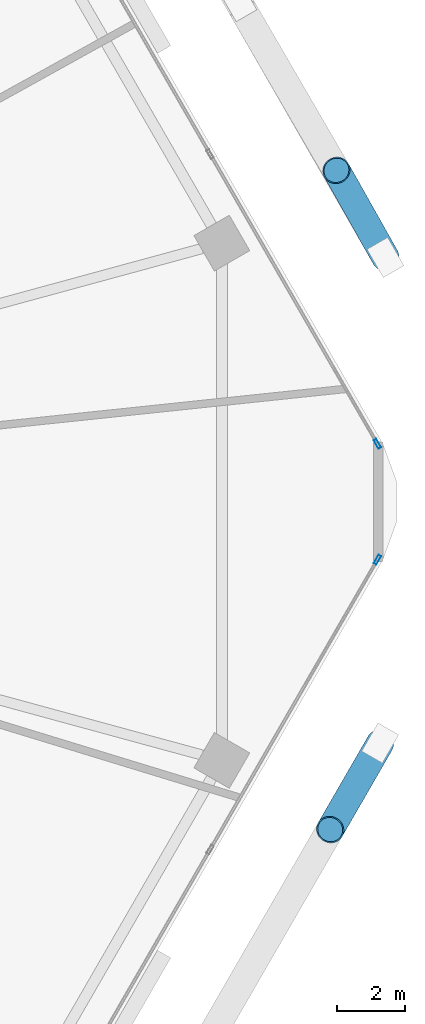
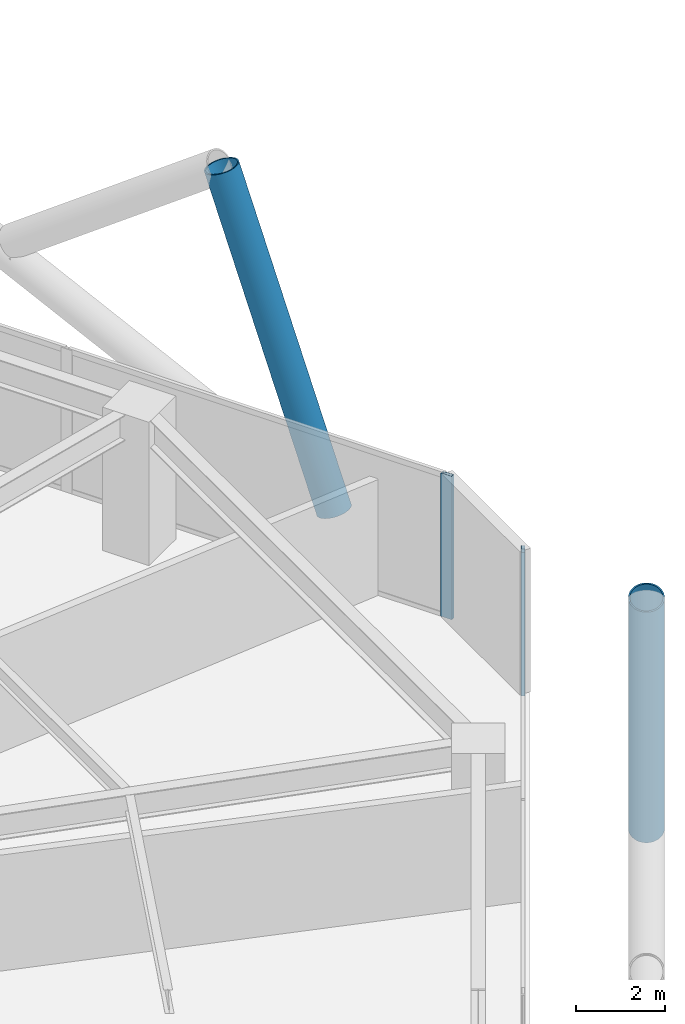
# One storey, part 23 of 30: 4 members, 2 elements without a shape of their own.
"""IFC4 building model written with IfcOpenShell, lengths in metres."""

from ifc_helpers import new_model, si_unit, direction, frame, origin, origin_2d, place, context, subcontext, project, spatial, hollow_rectangle, hollow_circle, extrude, material, material_profile, profile_set, type_object, element, aggregate, save


model = new_model("IFC4")

# Units and contexts
model_context = context("Model", 3, precision=1e-05, world=origin(), true_north=direction((0.0, 1.0)))
body_context = subcontext(model_context, "Body", "Model", "MODEL_VIEW")
ifc_project = project(units=[si_unit("LENGTHUNIT", "METRE"), si_unit("AREAUNIT", "SQUARE_METRE"), si_unit("VOLUMEUNIT", "CUBIC_METRE"), si_unit("PLANEANGLEUNIT", "RADIAN"), si_unit("MASSUNIT", "GRAM", prefix="KILO")], contexts=[model_context])

# Site, building, storey
site_placement = place(None, origin())
site = spatial("IfcSite", under=ifc_project, at=site_placement, CompositionType="ELEMENT")
building_placement = place(site_placement, origin())
building = spatial("IfcBuilding", under=site, at=building_placement, Name="Zuhravey Tower", CompositionType="ELEMENT")
storey_placement = place(building_placement, frame((0.0, 0.0, 58.199951171875)))
storey = spatial("IfcBuildingStorey", under=building, at=storey_placement, Name="L14", CompositionType="ELEMENT", Elevation=58.199951171875)

# Curtain wall, member
ifc_material_1 = material(Name="Thermally broken anodised aluminium", Category="aluminium")
curtain_wall_type = type_object("IfcCurtainWallType", Name="School Low-E Unitised Curtain Wall CW1", PredefinedType="NOTDEFINED", material=ifc_material_1)
curtain_wall_1_placement = place(storey_placement, origin())
curtain_wall_1 = element("IfcCurtainWall", 1, at=curtain_wall_1_placement, inside=storey, type_object=curtain_wall_type, Name="L14 CW1 CW-L14-F6-1", PredefinedType="NOTDEFINED")
ifc_material_2 = material(Name="Anodised aluminium", Category="aluminium")
ifc_material_profile_1 = material_profile(ifc_material_2, hollow_rectangle(XDim=0.090087890625, YDim=0.284912109375, WallThickness=0.0048828125, at=origin_2d()), Name="ALU-RHS-90x285x5")
ifc_profile_set_1 = profile_set([ifc_material_profile_1], Name="Anodised aluminium")
member_type_1 = type_object("IfcMemberType", Name="Curtain-Wall Mullion 90x180", PredefinedType="MULLION", material=ifc_profile_set_1)
member_1_placement = place(storey_placement, frame((68.4560546875, 30.298583984375, 0.0), z_axis=(0.0, 0.0, 1.0), x_axis=(0.86602552265, -0.499999794119, 0.0)))
member_1 = element("IfcMember", 2, at=member_1_placement, type_object=member_type_1, Name="CW1 mullion 1", PredefinedType="MULLION", context=body_context, shape_type="SweptSolid", body=[
    extrude(hollow_rectangle(XDim=0.090087890625, YDim=0.284912109375, WallThickness=0.0048828125, at=origin_2d()), origin(), (0.0, 0.0, 1.0), 3.920166015625),
])
aggregate(curtain_wall_1, [member_1])

curtain_wall_2_placement = place(storey_placement, origin())
curtain_wall_2 = element("IfcCurtainWall", 3, at=curtain_wall_2_placement, inside=storey, type_object=curtain_wall_type, Name="L14 CW1 CW-L14-F1-1", PredefinedType="NOTDEFINED")
member_2_placement = place(storey_placement, frame((68.4560546875, 33.701416015625, 0.0), z_axis=(0.0, 0.0, 1.0), x_axis=(0.86602552265, 0.499999794119, 0.0)))
member_2 = element("IfcMember", 4, at=member_2_placement, type_object=member_type_1, Name="CW1 mullion 4", PredefinedType="MULLION", context=body_context, shape_type="SweptSolid", body=[
    extrude(hollow_rectangle(XDim=0.090087890625, YDim=0.284912109375, WallThickness=0.0048828125, at=origin_2d()), origin(), (0.0, 0.0, 1.0), 3.920166015625),
])
aggregate(curtain_wall_2, [member_2])

# Members
ifc_material_3 = material(Name="Steel SM460", Category="steel")
ifc_material_profile_2 = material_profile(ifc_material_3, hollow_circle(Radius=0.406494140625, WallThickness=0.035888671875, at=origin_2d()), Name="CHS-812.8x36")
ifc_profile_set_2 = profile_set([ifc_material_profile_2], Name="Steel SM460")
member_type_2 = type_object("IfcMemberType", Name="Exoskeleton Zone 1 Diagrid CHS813x36", PredefinedType="BRACE", material=ifc_profile_set_2)
for number, where, z_axis, x_axis, name in (
    (5, (68.689453125, 39.17724609375, -0.471923828125), (-0.162383773974, 0.288038869576, 0.943750560033), (-0.871107455363, -0.491092456886, 0.0), "L14 Face 1 Diagrid Brace 1"),
    (6, (68.533447265625, 24.912841796875, -0.471923828125), (-0.165307317227, -0.286358046605, 0.943754501984), (0.866053660865, -0.499951054106, 0.0), "L14 Face 6 Diagrid Brace 4"),
):
    element("IfcMember", number, at=place(storey_placement, frame(where, z_axis=z_axis, x_axis=x_axis)), inside=storey, type_object=member_type_2, Name=name, PredefinedType="BRACE", context=body_context, shape_type="SweptSolid", body=[
        extrude(hollow_circle(Radius=0.406494140625, WallThickness=0.035888671875, at=origin_2d()), origin(), (0.0, 0.0, 1.0), 8.85400390625),
    ])

save(model, "model.ifc")
